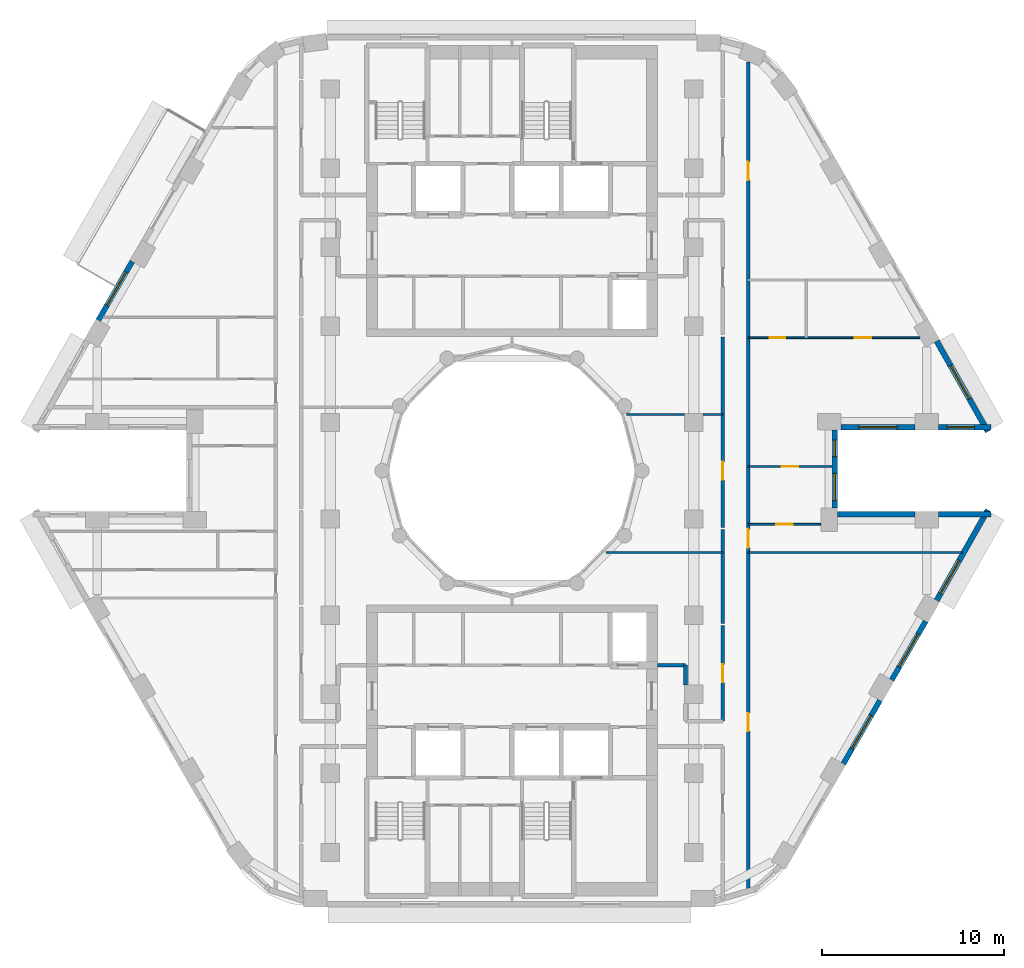
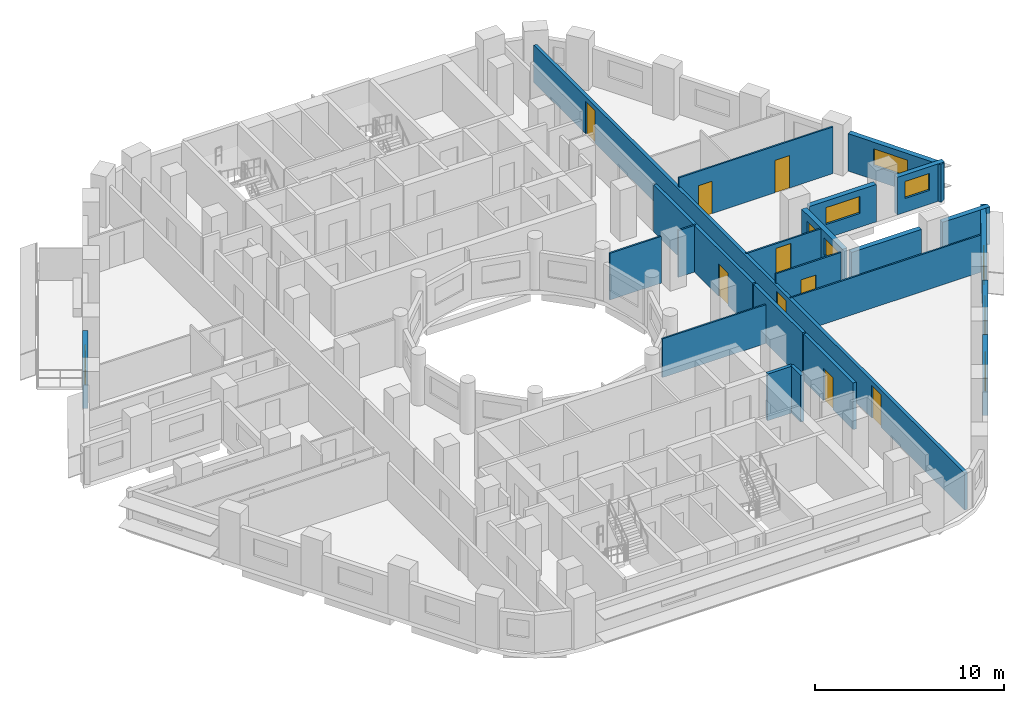
# One storey, part 6 of 13: 23 walls, 9 doors, 9 windows, 18 openings.
"""IFC4 building model written with IfcOpenShell, lengths in metres."""

from ifc_helpers import new_model, si_unit, direction, frame, frame_2d, origin, place, context, subcontext, project, spatial, rectangle, extrude, material, layer, layer_set, type_object, element, fill, save


model = new_model("IFC4")

# Units and contexts
model_context = context("Model", 3, precision=1e-05, world=origin(), true_north=direction((0.0, 1.0)))
body_context = subcontext(model_context, "Body", "Model", "MODEL_VIEW")
ifc_project = project(units=[si_unit("LENGTHUNIT", "METRE"), si_unit("AREAUNIT", "SQUARE_METRE"), si_unit("VOLUMEUNIT", "CUBIC_METRE"), si_unit("PLANEANGLEUNIT", "RADIAN"), si_unit("MASSUNIT", "GRAM", prefix="KILO")], contexts=[model_context])

# Site, building, storey
site_placement = place(None, origin())
site = spatial("IfcSite", under=ifc_project, at=site_placement, CompositionType="ELEMENT")
building_placement = place(site_placement, origin())
building = spatial("IfcBuilding", under=site, at=building_placement, Name="Nakaniwa Court", CompositionType="ELEMENT")
storey_placement = place(building_placement, frame((0.0, 0.0, 143.699951171875)))
storey = spatial("IfcBuildingStorey", under=building, at=storey_placement, Name="L37", CompositionType="ELEMENT", Elevation=143.699951171875)

# Wall, opening, door
ifc_material_1 = material(Name="Acoustic double stud partition")
ifc_layer_1 = layer(ifc_material_1, 0.199951171875)
ifc_layer_set_1 = layer_set([ifc_layer_1], Name="Acoustic double stud partition")
wall_type_1 = type_object("IfcWallType", Name="Acoustic double stud partition 200", PredefinedType="PARTITIONING", material=ifc_layer_set_1)
wall_1_placement = place(storey_placement, frame((91.60009765625, 66.22509765625, 0.0), z_axis=(0.0, 0.0, 1.0), x_axis=(0.0, 1.0, 0.0)))
wall_1 = element("IfcWall", 1, at=wall_1_placement, inside=storey, type_object=wall_type_1, Name="Partition PW-073", PredefinedType="PARTITIONING", context=body_context, shape_type="SweptSolid", body=[
    extrude(rectangle(XDim=5.247802734375, YDim=0.199951171875, at=frame_2d((2.6240234375, 0.0))), origin(), (0.0, 0.0, 1.0), 3.025146484375),
])
opening_1_placement = place(wall_1_placement, frame((2.123046875, 0.0, 0.0)))
opening_1 = element("IfcOpeningElement", 2, at=opening_1_placement, cuts=wall_1, Name="Opening D-02-03", PredefinedType="OPENING", context=body_context, shape_type="SweptSolid", body=[
    extrude(rectangle(XDim=1.0, YDim=2.10009765625, at=frame_2d((0.5, 1.050048828125))), frame((0.0, 0.10986328125, 0.0), z_axis=(0.0, -1.0, 0.0), x_axis=(1.0, 0.0, 0.0)), (0.0, 0.0, 1.0), 0.219970703125),
])
ifc_material_2 = material(Name="Solid core timber door set, black veneer", Category="wood")
door_type_1 = type_object("IfcDoorType", Name="Internal door 1000", OperationType="NOTDEFINED", PredefinedType="DOOR", material=ifc_material_2)
door_1_placement = place(opening_1_placement, origin())
door_1 = element("IfcDoor", 3, at=door_1_placement, inside=storey, type_object=door_type_1, Name="Door D-02-03 L37-029", OperationType="SINGLE_SWING_RIGHT", OverallHeight=2.10009765625, OverallWidth=1.0, PredefinedType="DOOR", context=body_context, shape_type="SweptSolid", body=[
    extrude(rectangle(XDim=1.0, YDim=2.10009765625, at=frame_2d((0.5, 1.050048828125))), frame((0.0, 0.02490234375, 0.0), z_axis=(0.0, -1.0, 0.0), x_axis=(1.0, 0.0, 0.0)), (0.0, 0.0, 1.0), 0.050048828125),
])
fill(opening_1, door_1)

# Wall
wall_2_placement = place(storey_placement, frame((91.60009765625, 71.587158203125, 0.0), z_axis=(0.0, 0.0, 1.0), x_axis=(0.0, 1.0, 0.0)))
element("IfcWall", 4, at=wall_2_placement, inside=storey, type_object=wall_type_1, Name="Partition PW-074", PredefinedType="PARTITIONING", context=body_context, shape_type="SweptSolid", body=[
    extrude(rectangle(XDim=5.185546875, YDim=0.199951171875, at=frame_2d((2.5927734375, 0.0))), origin(), (0.0, 0.0, 1.0), 3.025146484375),
])

# Wall, opening, door
wall_3_placement = place(storey_placement, frame((91.60009765625, 76.88720703125, 0.0), z_axis=(0.0, 0.0, 1.0), x_axis=(0.0, 1.0, 0.0)))
wall_3 = element("IfcWall", 5, at=wall_3_placement, inside=storey, type_object=wall_type_1, Name="Partition PW-075", PredefinedType="PARTITIONING", context=body_context, shape_type="SweptSolid", body=[
    extrude(rectangle(XDim=10.485595703125, YDim=0.199951171875, at=frame_2d((5.24267578125, 0.0))), origin(), (0.0, 0.0, 1.0), 3.025146484375),
])
opening_2_placement = place(wall_3_placement, frame((2.60791015625, 0.0, 0.0)))
opening_2 = element("IfcOpeningElement", 6, at=opening_2_placement, cuts=wall_3, Name="Opening D-02-09", PredefinedType="OPENING", context=body_context, shape_type="SweptSolid", body=[
    extrude(rectangle(XDim=1.0, YDim=2.10009765625, at=frame_2d((0.5, 1.050048828125))), frame((0.0, 0.10986328125, 0.0), z_axis=(0.0, -1.0, 0.0), x_axis=(1.0, 0.0, 0.0)), (0.0, 0.0, 1.0), 0.219970703125),
])
door_2_placement = place(opening_2_placement, origin())
door_2 = element("IfcDoor", 7, at=door_2_placement, inside=storey, type_object=door_type_1, Name="Door D-02-09 L37-050", OperationType="SINGLE_SWING_LEFT", OverallHeight=2.10009765625, OverallWidth=1.0, PredefinedType="DOOR", context=body_context, shape_type="SweptSolid", body=[
    extrude(rectangle(XDim=1.0, YDim=2.10009765625, at=frame_2d((0.5, 1.050048828125))), frame((0.0, 0.02490234375, 0.0), z_axis=(0.0, -1.0, 0.0), x_axis=(1.0, 0.0, 0.0)), (0.0, 0.0, 1.0), 0.050048828125),
])
fill(opening_2, door_2)

# Wall, openings, doors
wall_4_placement = place(storey_placement, frame((93.0, 102.498046875, 0.0), z_axis=(0.0, 0.0, 1.0), x_axis=(0.0, -1.0, 0.0)))
wall_4 = element("IfcWall", 8, at=wall_4_placement, inside=storey, type_object=wall_type_1, Name="Partition PW-083", PredefinedType="PARTITIONING", context=body_context, shape_type="SweptSolid", body=[
    extrude(rectangle(XDim=45.664794921875, YDim=0.199951171875, at=frame_2d((22.83251953125, 0.0))), origin(), (0.0, 0.0, 1.0), 2.405029296875),
])
opening_3_placement = place(wall_4_placement, frame((35.8310546875, 0.0, 0.0)))
opening_3 = element("IfcOpeningElement", 9, at=opening_3_placement, cuts=wall_4, Name="Opening D-02-02", PredefinedType="OPENING", context=body_context, shape_type="SweptSolid", body=[
    extrude(rectangle(XDim=1.0, YDim=2.10009765625, at=frame_2d((0.5, 1.050048828125))), frame((0.0, 0.10986328125, 0.0), z_axis=(0.0, -1.0, 0.0), x_axis=(1.0, 0.0, 0.0)), (0.0, 0.0, 1.0), 0.219970703125),
])
opening_4_placement = place(wall_4_placement, frame((25.722900390625, 0.0, 0.0)))
opening_4 = element("IfcOpeningElement", 10, at=opening_4_placement, cuts=wall_4, Name="Opening D-01-01", PredefinedType="OPENING", context=body_context, shape_type="SweptSolid", body=[
    extrude(rectangle(XDim=1.0, YDim=2.10009765625, at=frame_2d((0.5, 1.050048828125))), frame((0.0, 0.10986328125, 0.0), z_axis=(0.0, -1.0, 0.0), x_axis=(1.0, 0.0, 0.0)), (0.0, 0.0, 1.0), 0.219970703125),
])
opening_5_placement = place(wall_4_placement, frame((5.5009765625, 0.0, 0.0)))
opening_5 = element("IfcOpeningElement", 11, at=opening_5_placement, cuts=wall_4, Name="Opening D-02-04", PredefinedType="OPENING", context=body_context, shape_type="SweptSolid", body=[
    extrude(rectangle(XDim=1.0, YDim=2.10009765625, at=frame_2d((0.5, 1.050048828125))), frame((0.0, 0.10986328125, 0.0), z_axis=(0.0, -1.0, 0.0), x_axis=(1.0, 0.0, 0.0)), (0.0, 0.0, 1.0), 0.219970703125),
])
door_type_2 = type_object("IfcDoorType", Name="Flat entrance door 1000", OperationType="NOTDEFINED", PredefinedType="DOOR", material=ifc_material_2)
door_3_placement = place(opening_4_placement, origin())
door_3 = element("IfcDoor", 12, at=door_3_placement, inside=storey, type_object=door_type_2, Name="Door D-01-01 L37-030", OperationType="SINGLE_SWING_LEFT", OverallHeight=2.10009765625, OverallWidth=1.0, PredefinedType="DOOR", context=body_context, shape_type="SweptSolid", body=[
    extrude(rectangle(XDim=1.0, YDim=2.10009765625, at=frame_2d((0.5, 1.050048828125))), frame((0.0, 0.02490234375, 0.0), z_axis=(0.0, -1.0, 0.0), x_axis=(1.0, 0.0, 0.0)), (0.0, 0.0, 1.0), 0.050048828125),
])
fill(opening_4, door_3)
door_4_placement = place(opening_3_placement, origin())
door_4 = element("IfcDoor", 13, at=door_4_placement, inside=storey, type_object=door_type_1, Name="Door D-02-02 L37-028", OperationType="SINGLE_SWING_LEFT", OverallHeight=2.10009765625, OverallWidth=1.0, PredefinedType="DOOR", context=body_context, shape_type="SweptSolid", body=[
    extrude(rectangle(XDim=1.0, YDim=2.10009765625, at=frame_2d((0.5, 1.050048828125))), frame((0.0, 0.02490234375, 0.0), z_axis=(0.0, -1.0, 0.0), x_axis=(1.0, 0.0, 0.0)), (0.0, 0.0, 1.0), 0.050048828125),
])
fill(opening_3, door_4)
door_5_placement = place(opening_5_placement, origin())
door_5 = element("IfcDoor", 14, at=door_5_placement, inside=storey, type_object=door_type_1, Name="Door D-02-04 L37-035", OperationType="SINGLE_SWING_RIGHT", OverallHeight=2.10009765625, OverallWidth=1.0, PredefinedType="DOOR", context=body_context, shape_type="SweptSolid", body=[
    extrude(rectangle(XDim=1.0, YDim=2.10009765625, at=frame_2d((0.5, 1.050048828125))), frame((0.0, 0.02490234375, 0.0), z_axis=(0.0, -1.0, 0.0), x_axis=(1.0, 0.0, 0.0)), (0.0, 0.0, 1.0), 0.050048828125),
])
fill(opening_5, door_5)

# Walls
wall_5_placement = place(storey_placement, frame((88.0, 69.300048828125, 0.0), z_axis=(0.0, 0.0, 1.0), x_axis=(1.0, 0.0, 0.0)))
element("IfcWall", 15, at=wall_5_placement, inside=storey, type_object=wall_type_1, Name="Partition PW-085", PredefinedType="PARTITIONING", context=body_context, shape_type="SweptSolid", body=[
    extrude(rectangle(XDim=1.550048828125, YDim=0.199951171875, at=frame_2d((0.77490234375, 0.0))), origin(), (0.0, 0.0, 1.0), 3.025146484375),
])
wall_6_placement = place(storey_placement, frame((89.550048828125, 68.21728515625, 0.0), z_axis=(0.0, 0.0, 1.0), x_axis=(0.0, 1.0, 0.0)))
element("IfcWall", 16, at=wall_6_placement, inside=storey, type_object=wall_type_1, Name="Partition PW-087", PredefinedType="PARTITIONING", context=body_context, shape_type="SweptSolid", body=[
    extrude(rectangle(XDim=1.082763671875, YDim=0.199951171875, at=frame_2d((0.54150390625, 0.0))), origin(), (0.0, 0.0, 1.0), 3.025146484375),
])

# Wall, opening, window
ifc_material_3 = material(Name="Charcoal ceramic cladding")
ifc_layer_2 = layer(ifc_material_3, 0.02, Name="Ceramic cladding")
ifc_material_4 = material(Name="Ventilated air cavity")
ifc_layer_3 = layer(ifc_material_4, 0.04, ventilated=True, Name="Ventilated cavity")
ifc_material_5 = material(Name="Mineral wool insulation")
ifc_layer_4 = layer(ifc_material_5, 0.1, Name="Insulation")
ifc_material_6 = material(Name="Cement bonded sheathing board")
ifc_layer_5 = layer(ifc_material_6, 0.012, Name="Sheathing")
ifc_material_7 = material(Name="Cold-formed galvanised stud frame with mineral wool infill")
ifc_layer_6 = layer(ifc_material_7, 0.1, Name="Stud frame")
ifc_material_8 = material(Name="Fire-rated gypsum plasterboard lining")
ifc_layer_7 = layer(ifc_material_8, 0.028, Name="Lining")
ifc_layer_set_2 = layer_set([ifc_layer_2, ifc_layer_3, ifc_layer_4, ifc_layer_5, ifc_layer_6, ifc_layer_7], Name="Charcoal ceramic faced external wall system")
wall_type_2 = type_object("IfcWallType", Name="Black ceramic faced external wall 300", PredefinedType="SOLIDWALL", material=ifc_layer_set_2)
wall_7_placement = place(storey_placement, frame((98.1044921875, 82.39990234375, 0.0), z_axis=(0.0, 0.0, 1.0), x_axis=(1.0, 0.0, 0.0)))
wall_7 = element("IfcWall", 17, at=wall_7_placement, inside=storey, type_object=wall_type_2, Name="L37 external wall 00", PredefinedType="SOLIDWALL", context=body_context, shape_type="SweptSolid", body=[
    extrude(rectangle(XDim=4.072509765625, YDim=0.300048828125, at=frame_2d((2.0361328125, 0.0))), origin(), (0.0, 0.0, 1.0), 2.425048828125),
])
opening_6_placement = place(wall_7_placement, frame((0.986083984375, 0.0, 0.89990234375)))
opening_6 = element("IfcOpeningElement", 18, at=opening_6_placement, cuts=wall_7, Name="Opening W7.01", PredefinedType="OPENING", context=body_context, shape_type="SweptSolid", body=[
    extrude(rectangle(XDim=2.10009765625, YDim=1.10009765625, at=frame_2d((1.050048828125, 0.550048828125))), frame((0.0, 0.159912109375, 0.0), z_axis=(0.0, -1.0, 0.0), x_axis=(1.0, 0.0, 0.0)), (0.0, 0.0, 1.0), 0.320068359375),
])
ifc_material_9 = material(Name="Black anodised aluminium frame with dark low-E laminated double glazing", Category="aluminium")
window_type_1 = type_object("IfcWindowType", Name="Dark glass window 2100x1100 sill 900", PartitioningType="SINGLE_PANEL", PredefinedType="WINDOW", material=ifc_material_9)
window_1_placement = place(opening_6_placement, origin())
window_1 = element("IfcWindow", 19, at=window_1_placement, inside=storey, type_object=window_type_1, Name="L37 living window 00-0", OverallHeight=1.10009765625, OverallWidth=2.10009765625, PartitioningType="SINGLE_PANEL", PredefinedType="WINDOW", context=body_context, shape_type="SweptSolid", body=[
    extrude(rectangle(XDim=2.10009765625, YDim=1.10009765625, at=frame_2d((1.050048828125, 0.550048828125))), frame((0.0, 0.030029296875, 0.0), z_axis=(0.0, -1.0, 0.0), x_axis=(1.0, 0.0, 0.0)), (0.0, 0.0, 1.0), 0.06005859375),
])
fill(opening_6, window_1)

wall_8_placement = place(storey_placement, frame((103.468994140625, 82.39990234375, 0.0), z_axis=(0.0, 0.0, 1.0), x_axis=(1.0, 0.0, 0.0)))
wall_8 = element("IfcWall", 20, at=wall_8_placement, inside=storey, type_object=wall_type_2, Name="L37 external wall 01", PredefinedType="SOLIDWALL", context=body_context, shape_type="SweptSolid", body=[
    extrude(rectangle(XDim=2.8876953125, YDim=0.300048828125, at=frame_2d((1.44384765625, 0.0))), origin(), (0.0, 0.0, 1.0), 2.425048828125),
])
opening_7_placement = place(wall_8_placement, frame((0.468994140625, 0.0, 0.89990234375)))
opening_7 = element("IfcOpeningElement", 21, at=opening_7_placement, cuts=wall_8, Name="Opening W5.02", PredefinedType="OPENING", context=body_context, shape_type="SweptSolid", body=[
    extrude(rectangle(XDim=1.5, YDim=1.10009765625, at=frame_2d((0.75, 0.550048828125))), frame((0.0, 0.159912109375, 0.0), z_axis=(0.0, -1.0, 0.0), x_axis=(1.0, 0.0, 0.0)), (0.0, 0.0, 1.0), 0.320068359375),
])
window_type_2 = type_object("IfcWindowType", Name="Dark glass window 1500x1100 sill 900", PartitioningType="SINGLE_PANEL", PredefinedType="WINDOW", material=ifc_material_9)
window_2_placement = place(opening_7_placement, origin())
window_2 = element("IfcWindow", 22, at=window_2_placement, inside=storey, type_object=window_type_2, Name="L37 living window 01-0", OverallHeight=1.10009765625, OverallWidth=1.5, PartitioningType="SINGLE_PANEL", PredefinedType="WINDOW", context=body_context, shape_type="SweptSolid", body=[
    extrude(rectangle(XDim=1.5, YDim=1.10009765625, at=frame_2d((0.75, 0.550048828125))), frame((0.0, 0.030029296875, 0.0), z_axis=(0.0, -1.0, 0.0), x_axis=(1.0, 0.0, 0.0)), (0.0, 0.0, 1.0), 0.06005859375),
])
fill(opening_7, window_2)

wall_9_placement = place(storey_placement, frame((106.18603515625, 82.1533203125, 0.0), z_axis=(0.0, 0.0, 1.0), x_axis=(-0.492498306264, 0.87031340236, 0.0)))
wall_9 = element("IfcWall", 23, at=wall_9_placement, inside=storey, type_object=wall_type_2, Name="L37 external wall 02", PredefinedType="SOLIDWALL", context=body_context, shape_type="SweptSolid", body=[
    extrude(rectangle(XDim=5.7265625, YDim=0.300048828125, at=frame_2d((2.86328125, 0.0))), origin(), (0.0, 0.0, 1.0), 2.425048828125),
])
opening_8_placement = place(wall_9_placement, frame((2.076416015625, 0.0, 0.89990234375)))
opening_8 = element("IfcOpeningElement", 24, at=opening_8_placement, cuts=wall_9, Name="Opening W7.03", PredefinedType="OPENING", context=body_context, shape_type="SweptSolid", body=[
    extrude(rectangle(XDim=2.10009765625, YDim=1.10009765625, at=frame_2d((1.050048828125, 0.550048828125))), frame((0.0, 0.159912109375, 0.0), z_axis=(0.0, -1.0, 0.0), x_axis=(1.0, 0.0, 0.0)), (0.0, 0.0, 1.0), 0.320068359375),
])
window_3_placement = place(opening_8_placement, origin())
window_3 = element("IfcWindow", 25, at=window_3_placement, inside=storey, type_object=window_type_1, Name="L37 living window 02-0", OverallHeight=1.10009765625, OverallWidth=2.10009765625, PartitioningType="SINGLE_PANEL", PredefinedType="WINDOW", context=body_context, shape_type="SweptSolid", body=[
    extrude(rectangle(XDim=2.10009765625, YDim=1.10009765625, at=frame_2d((1.050048828125, 0.550048828125))), frame((0.0, 0.030029296875, 0.0), z_axis=(0.0, -1.0, 0.0), x_axis=(1.0, 0.0, 0.0)), (0.0, 0.0, 1.0), 0.06005859375),
])
fill(opening_8, window_3)

wall_10_placement = place(storey_placement, frame((59.108642578125, 91.515380859375, 0.0), z_axis=(0.0, 0.0, 1.0), x_axis=(-0.499933594891, -0.866063739398, 0.0)))
wall_10 = element("IfcWall", 26, at=wall_10_placement, inside=storey, type_object=wall_type_2, Name="L37 external wall 13", PredefinedType="SOLIDWALL", context=body_context, shape_type="SweptSolid", body=[
    extrude(rectangle(XDim=3.73681640625, YDim=0.300048828125, at=frame_2d((1.868408203125, 0.0))), origin(), (0.0, 0.0, 1.0), 2.425048828125),
])
opening_9_placement = place(wall_10_placement, frame((0.6826171875, 0.0, 0.89990234375)))
opening_9 = element("IfcOpeningElement", 27, at=opening_9_placement, cuts=wall_10, Name="Opening W7.14", PredefinedType="OPENING", context=body_context, shape_type="SweptSolid", body=[
    extrude(rectangle(XDim=2.10009765625, YDim=1.10009765625, at=frame_2d((1.050048828125, 0.550048828125))), frame((0.0, 0.159912109375, 0.0), z_axis=(0.0, -1.0, 0.0), x_axis=(1.0, 0.0, 0.0)), (0.0, 0.0, 1.0), 0.320068359375),
])
window_4_placement = place(opening_9_placement, origin())
window_4 = element("IfcWindow", 28, at=window_4_placement, inside=storey, type_object=window_type_1, Name="L37 living window 13-0", OverallHeight=1.10009765625, OverallWidth=2.10009765625, PartitioningType="SINGLE_PANEL", PredefinedType="WINDOW", context=body_context, shape_type="SweptSolid", body=[
    extrude(rectangle(XDim=2.10009765625, YDim=1.10009765625, at=frame_2d((1.050048828125, 0.550048828125))), frame((0.0, 0.030029296875, 0.0), z_axis=(0.0, -1.0, 0.0), x_axis=(1.0, 0.0, 0.0)), (0.0, 0.0, 1.0), 0.06005859375),
])
fill(opening_9, window_4)

wall_11_placement = place(storey_placement, frame((98.228271484375, 63.872314453125, 0.0), z_axis=(0.0, 0.0, 1.0), x_axis=(0.500031546601, 0.86600718958, 0.0)))
wall_11 = element("IfcWall", 29, at=wall_11_placement, inside=storey, type_object=wall_type_2, Name="L37 external wall 30", PredefinedType="SOLIDWALL", context=body_context, shape_type="SweptSolid", body=[
    extrude(rectangle(XDim=4.033935546875, YDim=0.300048828125, at=frame_2d((2.01708984375, 0.0))), origin(), (0.0, 0.0, 1.0), 2.425048828125),
])
opening_10_placement = place(wall_11_placement, frame((0.967041015625, 0.0, 0.89990234375)))
opening_10 = element("IfcOpeningElement", 30, at=opening_10_placement, cuts=wall_11, Name="Opening W7.31", PredefinedType="OPENING", context=body_context, shape_type="SweptSolid", body=[
    extrude(rectangle(XDim=2.10009765625, YDim=1.10009765625, at=frame_2d((1.050048828125, 0.550048828125))), frame((0.0, 0.159912109375, 0.0), z_axis=(0.0, -1.0, 0.0), x_axis=(1.0, 0.0, 0.0)), (0.0, 0.0, 1.0), 0.320068359375),
])
window_5_placement = place(opening_10_placement, origin())
window_5 = element("IfcWindow", 31, at=window_5_placement, inside=storey, type_object=window_type_1, Name="L37 habitable room window 30-0", OverallHeight=1.10009765625, OverallWidth=2.10009765625, PartitioningType="SINGLE_PANEL", PredefinedType="WINDOW", context=body_context, shape_type="SweptSolid", body=[
    extrude(rectangle(XDim=2.10009765625, YDim=1.10009765625, at=frame_2d((1.050048828125, 0.550048828125))), frame((0.0, 0.030029296875, 0.0), z_axis=(0.0, -1.0, 0.0), x_axis=(1.0, 0.0, 0.0)), (0.0, 0.0, 1.0), 0.06005859375),
])
fill(opening_10, window_5)

wall_12_placement = place(storey_placement, frame((100.891357421875, 68.484619140625, 0.0), z_axis=(0.0, 0.0, 1.0), x_axis=(0.499933594891, 0.866063739398, 0.0)))
wall_12 = element("IfcWall", 32, at=wall_12_placement, inside=storey, type_object=wall_type_2, Name="L37 external wall 31", PredefinedType="SOLIDWALL", context=body_context, shape_type="SweptSolid", body=[
    extrude(rectangle(XDim=3.73681640625, YDim=0.300048828125, at=frame_2d((1.868408203125, 0.0))), origin(), (0.0, 0.0, 1.0), 2.425048828125),
])
opening_11_placement = place(wall_12_placement, frame((0.818359375, 0.0, 0.89990234375)))
opening_11 = element("IfcOpeningElement", 33, at=opening_11_placement, cuts=wall_12, Name="Opening W7.32", PredefinedType="OPENING", context=body_context, shape_type="SweptSolid", body=[
    extrude(rectangle(XDim=2.10009765625, YDim=1.10009765625, at=frame_2d((1.050048828125, 0.550048828125))), frame((0.0, 0.159912109375, 0.0), z_axis=(0.0, -1.0, 0.0), x_axis=(1.0, 0.0, 0.0)), (0.0, 0.0, 1.0), 0.320068359375),
])
window_6_placement = place(opening_11_placement, origin())
window_6 = element("IfcWindow", 34, at=window_6_placement, inside=storey, type_object=window_type_1, Name="L37 habitable room window 31-0", OverallHeight=1.10009765625, OverallWidth=2.10009765625, PartitioningType="SINGLE_PANEL", PredefinedType="WINDOW", context=body_context, shape_type="SweptSolid", body=[
    extrude(rectangle(XDim=2.10009765625, YDim=1.10009765625, at=frame_2d((1.050048828125, 0.550048828125))), frame((0.0, 0.030029296875, 0.0), z_axis=(0.0, -1.0, 0.0), x_axis=(1.0, 0.0, 0.0)), (0.0, 0.0, 1.0), 0.06005859375),
])
fill(opening_11, window_6)

wall_13_placement = place(storey_placement, frame((103.36572265625, 72.86279296875, 0.0), z_axis=(0.0, 0.0, 1.0), x_axis=(0.492498306264, 0.87031340236, 0.0)))
wall_13 = element("IfcWall", 35, at=wall_13_placement, inside=storey, type_object=wall_type_2, Name="L37 external wall 32", PredefinedType="SOLIDWALL", context=body_context, shape_type="SweptSolid", body=[
    extrude(rectangle(XDim=5.7265625, YDim=0.300048828125, at=frame_2d((2.86328125, 0.0))), origin(), (0.0, 0.0, 1.0), 2.425048828125),
])
opening_12_placement = place(wall_13_placement, frame((0.4296875, 0.0, 0.89990234375)))
opening_12 = element("IfcOpeningElement", 36, at=opening_12_placement, cuts=wall_13, Name="Opening W7.33", PredefinedType="OPENING", context=body_context, shape_type="SweptSolid", body=[
    extrude(rectangle(XDim=2.10009765625, YDim=1.10009765625, at=frame_2d((1.050048828125, 0.550048828125))), frame((0.0, 0.159912109375, 0.0), z_axis=(0.0, -1.0, 0.0), x_axis=(1.0, 0.0, 0.0)), (0.0, 0.0, 1.0), 0.320068359375),
])
window_7_placement = place(opening_12_placement, origin())
window_7 = element("IfcWindow", 37, at=window_7_placement, inside=storey, type_object=window_type_1, Name="L37 habitable room window 32-0", OverallHeight=1.10009765625, OverallWidth=2.10009765625, PartitioningType="SINGLE_PANEL", PredefinedType="WINDOW", context=body_context, shape_type="SweptSolid", body=[
    extrude(rectangle(XDim=2.10009765625, YDim=1.10009765625, at=frame_2d((1.050048828125, 0.550048828125))), frame((0.0, 0.030029296875, 0.0), z_axis=(0.0, -1.0, 0.0), x_axis=(1.0, 0.0, 0.0)), (0.0, 0.0, 1.0), 0.06005859375),
])
fill(opening_12, window_7)

# Walls
wall_14_placement = place(storey_placement, frame((106.356689453125, 77.60009765625, 0.0), z_axis=(0.0, 0.0, 1.0), x_axis=(-1.0, 0.0, 0.0)))
element("IfcWall", 38, at=wall_14_placement, inside=storey, type_object=wall_type_2, Name="L37 external wall 33", PredefinedType="SOLIDWALL", context=body_context, shape_type="SweptSolid", body=[
    extrude(rectangle(XDim=2.8876953125, YDim=0.300048828125, at=frame_2d((1.44384765625, 0.0))), origin(), (0.0, 0.0, 1.0), 2.425048828125),
])
wall_15_placement = place(storey_placement, frame((102.177001953125, 77.60009765625, 0.0), z_axis=(0.0, 0.0, 1.0), x_axis=(-1.0, 0.0, 0.0)))
element("IfcWall", 39, at=wall_15_placement, inside=storey, type_object=wall_type_2, Name="L37 external wall 34", PredefinedType="SOLIDWALL", context=body_context, shape_type="SweptSolid", body=[
    extrude(rectangle(XDim=4.272705078125, YDim=0.300048828125, at=frame_2d((2.13623046875, 0.0))), origin(), (0.0, 0.0, 1.0), 2.425048828125),
])

# Wall, openings, windows
wall_16_placement = place(storey_placement, frame((97.75830078125, 77.946044921875, 0.0), z_axis=(0.0, 0.0, 1.0), x_axis=(0.0, 1.0, 0.0)))
wall_16 = element("IfcWall", 40, at=wall_16_placement, inside=storey, type_object=wall_type_2, Name="L37 external wall 35", PredefinedType="SOLIDWALL", context=body_context, shape_type="SweptSolid", body=[
    extrude(rectangle(XDim=4.307861328125, YDim=0.300048828125, at=frame_2d((2.15380859375, 0.0))), origin(), (0.0, 0.0, 1.0), 2.425048828125),
])
opening_13_placement = place(wall_16_placement, frame((0.40673828125, 0.0, 0.89990234375)))
opening_13 = element("IfcOpeningElement", 41, at=opening_13_placement, cuts=wall_16, Name="Opening W5.34", PredefinedType="OPENING", context=body_context, shape_type="SweptSolid", body=[
    extrude(rectangle(XDim=1.5, YDim=1.10009765625, at=frame_2d((0.75, 0.550048828125))), frame((0.0, 0.159912109375, 0.0), z_axis=(0.0, -1.0, 0.0), x_axis=(1.0, 0.0, 0.0)), (0.0, 0.0, 1.0), 0.320068359375),
])
opening_14_placement = place(wall_16_placement, frame((2.836669921875, 0.0, 0.89990234375)))
opening_14 = element("IfcOpeningElement", 42, at=opening_14_placement, cuts=wall_16, Name="Opening W9.35", PredefinedType="OPENING", context=body_context, shape_type="SweptSolid", body=[
    extrude(rectangle(XDim=0.89990234375, YDim=1.10009765625, at=frame_2d((0.449951171875, 0.550048828125))), frame((0.0, 0.159912109375, 0.0), z_axis=(0.0, -1.0, 0.0), x_axis=(1.0, 0.0, 0.0)), (0.0, 0.0, 1.0), 0.320068359375),
])
window_8_placement = place(opening_13_placement, origin())
window_8 = element("IfcWindow", 43, at=window_8_placement, inside=storey, type_object=window_type_2, Name="L37 habitable room window 35-0", OverallHeight=1.10009765625, OverallWidth=1.5, PartitioningType="SINGLE_PANEL", PredefinedType="WINDOW", context=body_context, shape_type="SweptSolid", body=[
    extrude(rectangle(XDim=1.5, YDim=1.10009765625, at=frame_2d((0.75, 0.550048828125))), frame((0.0, 0.030029296875, 0.0), z_axis=(0.0, -1.0, 0.0), x_axis=(1.0, 0.0, 0.0)), (0.0, 0.0, 1.0), 0.06005859375),
])
fill(opening_13, window_8)
window_type_3 = type_object("IfcWindowType", Name="Dark glass window 900x1100 sill 900", PartitioningType="SINGLE_PANEL", PredefinedType="WINDOW", material=ifc_material_9)
window_9_placement = place(opening_14_placement, origin())
window_9 = element("IfcWindow", 44, at=window_9_placement, inside=storey, type_object=window_type_3, Name="L37 living window 35-1", OverallHeight=1.10009765625, OverallWidth=0.89990234375, PartitioningType="SINGLE_PANEL", PredefinedType="WINDOW", context=body_context, shape_type="SweptSolid", body=[
    extrude(rectangle(XDim=0.89990234375, YDim=1.10009765625, at=frame_2d((0.449951171875, 0.550048828125))), frame((0.0, 0.030029296875, 0.0), z_axis=(0.0, -1.0, 0.0), x_axis=(1.0, 0.0, 0.0)), (0.0, 0.0, 1.0), 0.06005859375),
])
fill(opening_14, window_9)

# Walls
ifc_material_10 = material(Name="Single stud plasterboard partition")
ifc_layer_8 = layer(ifc_material_10, 0.10009765625)
ifc_layer_set_3 = layer_set([ifc_layer_8], Name="Single stud plasterboard partition")
wall_type_3 = type_object("IfcWallType", Name="Single stud plasterboard partition 100", PredefinedType="PARTITIONING", material=ifc_layer_set_3)
wall_17_placement = place(storey_placement, frame((85.17333984375, 75.5, 0.0), z_axis=(0.0, 0.0, 1.0), x_axis=(1.0, 0.0, 0.0)))
element("IfcWall", 45, at=wall_17_placement, inside=storey, type_object=wall_type_3, Name="Partition PW-117", PredefinedType="PARTITIONING", context=body_context, shape_type="SweptSolid", body=[
    extrude(rectangle(XDim=6.42578125, YDim=0.10009765625, at=frame_2d((3.212890625, 0.0))), origin(), (0.0, 0.0, 1.0), 2.505126953125),
])
wall_18_placement = place(storey_placement, frame((93.0009765625, 75.5, 0.0), z_axis=(0.0, 0.0, 1.0), x_axis=(1.0, 0.0, 0.0)))
element("IfcWall", 46, at=wall_18_placement, inside=storey, type_object=wall_type_3, Name="Partition PW-118", PredefinedType="PARTITIONING", context=body_context, shape_type="SweptSolid", body=[
    extrude(rectangle(XDim=11.767333984375, YDim=0.10009765625, at=frame_2d((5.8837890625, 0.0))), origin(), (0.0, 0.0, 1.0), 2.405029296875),
])

# Wall, opening, door
wall_19_placement = place(storey_placement, frame((93.0009765625, 77.050048828125, 0.0), z_axis=(0.0, 0.0, 1.0), x_axis=(1.0, 0.0, 0.0)))
wall_19 = element("IfcWall", 47, at=wall_19_placement, inside=storey, type_object=wall_type_3, Name="Partition PW-119", PredefinedType="PARTITIONING", context=body_context, shape_type="SweptSolid", body=[
    extrude(rectangle(XDim=3.9873046875, YDim=0.10009765625, at=frame_2d((1.99365234375, 0.0))), origin(), (0.0, 0.0, 1.0), 3.025146484375),
])
opening_15_placement = place(wall_19_placement, frame((1.5439453125, 0.0, 0.0)))
opening_15 = element("IfcOpeningElement", 48, at=opening_15_placement, cuts=wall_19, Name="Opening D-33-01", PredefinedType="OPENING", context=body_context, shape_type="SweptSolid", body=[
    extrude(rectangle(XDim=0.89990234375, YDim=2.10009765625, at=frame_2d((0.449951171875, 1.050048828125))), frame((0.0, 0.06005859375, 0.0), z_axis=(0.0, -1.0, 0.0), x_axis=(1.0, 0.0, 0.0)), (0.0, 0.0, 1.0), 0.1201171875),
])
door_type_3 = type_object("IfcDoorType", Name="Internal door 900", OperationType="NOTDEFINED", PredefinedType="DOOR", material=ifc_material_2)
door_6_placement = place(opening_15_placement, origin())
door_6 = element("IfcDoor", 49, at=door_6_placement, inside=storey, type_object=door_type_3, Name="Door D-33-01 L37-031", OperationType="SINGLE_SWING_RIGHT", OverallHeight=2.10009765625, OverallWidth=0.89990234375, PredefinedType="DOOR", context=body_context, shape_type="SweptSolid", body=[
    extrude(rectangle(XDim=0.89990234375, YDim=2.10009765625, at=frame_2d((0.449951171875, 1.050048828125))), frame((0.0, 0.02490234375, 0.0), z_axis=(0.0, -1.0, 0.0), x_axis=(1.0, 0.0, 0.0)), (0.0, 0.0, 1.0), 0.050048828125),
])
fill(opening_15, door_6)

wall_20_placement = place(storey_placement, frame((93.0009765625, 80.236083984375, 0.0), z_axis=(0.0, 0.0, 1.0), x_axis=(1.0, 0.0, 0.0)))
wall_20 = element("IfcWall", 50, at=wall_20_placement, inside=storey, type_object=wall_type_3, Name="Partition PW-120", PredefinedType="PARTITIONING", context=body_context, shape_type="SweptSolid", body=[
    extrude(rectangle(XDim=4.607421875, YDim=0.10009765625, at=frame_2d((2.3037109375, 0.0))), origin(), (0.0, 0.0, 1.0), 2.405029296875),
])
opening_16_placement = place(wall_20_placement, frame((1.85400390625, 0.0, 0.0)))
opening_16 = element("IfcOpeningElement", 51, at=opening_16_placement, cuts=wall_20, Name="Opening D-33-02", PredefinedType="OPENING", context=body_context, shape_type="SweptSolid", body=[
    extrude(rectangle(XDim=0.89990234375, YDim=2.10009765625, at=frame_2d((0.449951171875, 1.050048828125))), frame((0.0, 0.06005859375, 0.0), z_axis=(0.0, -1.0, 0.0), x_axis=(1.0, 0.0, 0.0)), (0.0, 0.0, 1.0), 0.1201171875),
])
door_7_placement = place(opening_16_placement, origin())
door_7 = element("IfcDoor", 52, at=door_7_placement, inside=storey, type_object=door_type_3, Name="Door D-33-02 L37-032", OperationType="SINGLE_SWING_LEFT", OverallHeight=2.10009765625, OverallWidth=0.89990234375, PredefinedType="DOOR", context=body_context, shape_type="SweptSolid", body=[
    extrude(rectangle(XDim=0.89990234375, YDim=2.10009765625, at=frame_2d((0.449951171875, 1.050048828125))), frame((0.0, 0.02490234375, 0.0), z_axis=(0.0, -1.0, 0.0), x_axis=(1.0, 0.0, 0.0)), (0.0, 0.0, 1.0), 0.050048828125),
])
fill(opening_16, door_7)

# Wall, openings, doors
wall_21_placement = place(storey_placement, frame((93.0009765625, 87.31396484375, 0.0), z_axis=(0.0, 0.0, 1.0), x_axis=(1.0, 0.0, 0.0)))
wall_21 = element("IfcWall", 53, at=wall_21_placement, inside=storey, type_object=wall_type_3, Name="Partition PW-121", PredefinedType="PARTITIONING", context=body_context, shape_type="SweptSolid", body=[
    extrude(rectangle(XDim=9.426513671875, YDim=0.10009765625, at=frame_2d((4.71337890625, 0.0))), origin(), (0.0, 0.0, 1.0), 3.025146484375),
])
opening_17_placement = place(wall_21_placement, frame((1.175048828125, 0.0, 0.0)))
opening_17 = element("IfcOpeningElement", 54, at=opening_17_placement, cuts=wall_21, Name="Opening D-03-01", PredefinedType="OPENING", context=body_context, shape_type="SweptSolid", body=[
    extrude(rectangle(XDim=0.85009765625, YDim=2.10009765625, at=frame_2d((0.425048828125, 1.050048828125))), frame((0.0, 0.06005859375, 0.0), z_axis=(0.0, -1.0, 0.0), x_axis=(1.0, 0.0, 0.0)), (0.0, 0.0, 1.0), 0.1201171875),
])
opening_18_placement = place(wall_21_placement, frame((5.863037109375, 0.0, 0.0)))
opening_18 = element("IfcOpeningElement", 55, at=opening_18_placement, cuts=wall_21, Name="Opening D-33-03", PredefinedType="OPENING", context=body_context, shape_type="SweptSolid", body=[
    extrude(rectangle(XDim=0.89990234375, YDim=2.10009765625, at=frame_2d((0.449951171875, 1.050048828125))), frame((0.0, 0.06005859375, 0.0), z_axis=(0.0, -1.0, 0.0), x_axis=(1.0, 0.0, 0.0)), (0.0, 0.0, 1.0), 0.1201171875),
])
ifc_material_11 = material(Name="Moisture sealed timber door set", Category="wood")
door_type_4 = type_object("IfcDoorType", Name="Bathroom door 850", OperationType="NOTDEFINED", PredefinedType="DOOR", material=ifc_material_11)
door_8_placement = place(opening_17_placement, origin())
door_8 = element("IfcDoor", 56, at=door_8_placement, inside=storey, type_object=door_type_4, Name="Door D-03-01 L37-033", OperationType="SINGLE_SWING_RIGHT", OverallHeight=2.10009765625, OverallWidth=0.85009765625, PredefinedType="DOOR", context=body_context, shape_type="SweptSolid", body=[
    extrude(rectangle(XDim=0.85009765625, YDim=2.10009765625, at=frame_2d((0.425048828125, 1.050048828125))), frame((0.0, 0.02490234375, 0.0), z_axis=(0.0, -1.0, 0.0), x_axis=(1.0, 0.0, 0.0)), (0.0, 0.0, 1.0), 0.050048828125),
])
fill(opening_17, door_8)
door_9_placement = place(opening_18_placement, origin())
door_9 = element("IfcDoor", 57, at=door_9_placement, inside=storey, type_object=door_type_3, Name="Door D-33-03 L37-034", OperationType="SINGLE_SWING_LEFT", OverallHeight=2.10009765625, OverallWidth=0.89990234375, PredefinedType="DOOR", context=body_context, shape_type="SweptSolid", body=[
    extrude(rectangle(XDim=0.89990234375, YDim=2.10009765625, at=frame_2d((0.449951171875, 1.050048828125))), frame((0.0, 0.02490234375, 0.0), z_axis=(0.0, -1.0, 0.0), x_axis=(1.0, 0.0, 0.0)), (0.0, 0.0, 1.0), 0.050048828125),
])
fill(opening_18, door_9)

# Walls
wall_22_placement = place(storey_placement, frame((86.328125, 83.10009765625, 0.0), z_axis=(0.0, 0.0, 1.0), x_axis=(1.0, 0.0, 0.0)))
element("IfcWall", 58, at=wall_22_placement, inside=storey, type_object=wall_type_3, Name="Partition PW-136", PredefinedType="PARTITIONING", context=body_context, shape_type="SweptSolid", body=[
    extrude(rectangle(XDim=3.15185546875, YDim=0.10009765625, at=frame_2d((1.575927734375, 0.0))), origin(), (0.0, 0.0, 1.0), 3.025146484375),
])
wall_23_placement = place(storey_placement, frame((90.52001953125, 83.10009765625, 0.0), z_axis=(0.0, 0.0, 1.0), x_axis=(1.0, 0.0, 0.0)))
element("IfcWall", 59, at=wall_23_placement, inside=storey, type_object=wall_type_3, Name="Partition PW-137", PredefinedType="PARTITIONING", context=body_context, shape_type="SweptSolid", body=[
    extrude(rectangle(XDim=1.0791015625, YDim=0.10009765625, at=frame_2d((0.53955078125, 0.0))), origin(), (0.0, 0.0, 1.0), 3.025146484375),
])

save(model, "model.ifc")
